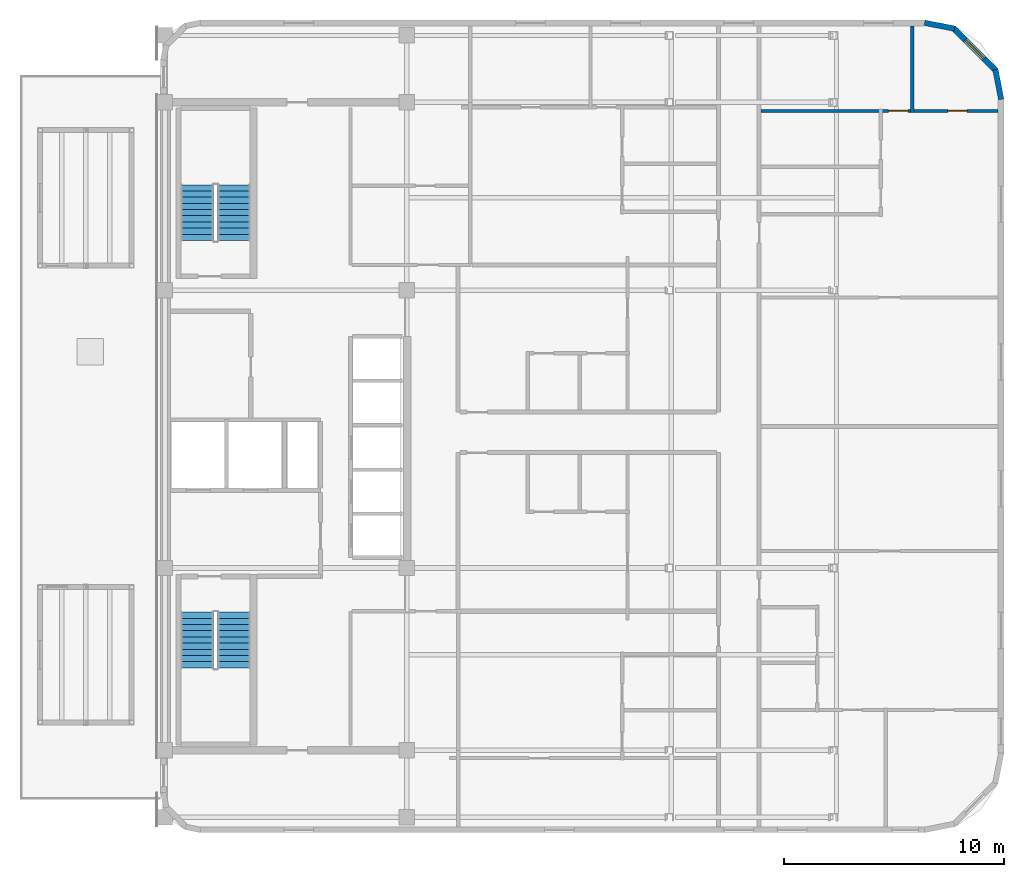
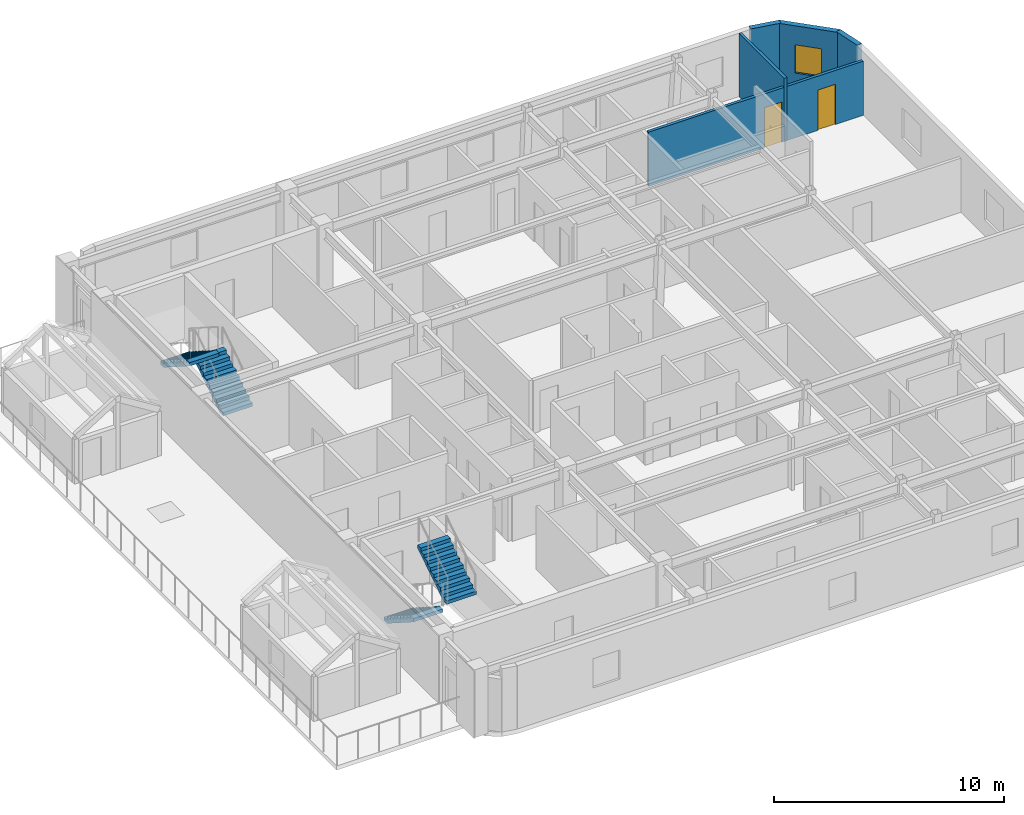
# One storey, part 12 of 13: 5 walls, 4 stair flights, 2 doors, 1 window, 3 openings, 2 elements without a shape of their own.
"""IFC4 building model written with IfcOpenShell, lengths in metres."""

from ifc_helpers import new_model, si_unit, direction, frame, frame_2d, origin, place, context, subcontext, project, spatial, polyline, rectangle, outline, extrude, material, layer, layer_set, type_object, element, fill, aggregate, save


model = new_model("IFC4")

# Units and contexts
model_context = context("Model", 3, precision=1e-05, world=origin(), true_north=direction((0.0, 1.0)))
body_context = subcontext(model_context, "Body", "Model", "MODEL_VIEW")
ifc_project = project(units=[si_unit("LENGTHUNIT", "METRE"), si_unit("AREAUNIT", "SQUARE_METRE"), si_unit("VOLUMEUNIT", "CUBIC_METRE"), si_unit("PLANEANGLEUNIT", "RADIAN"), si_unit("MASSUNIT", "GRAM", prefix="KILO")], contexts=[model_context])

# Site, building, storey
site_placement = place(None, origin())
site = spatial("IfcSite", under=ifc_project, at=site_placement, CompositionType="ELEMENT")
building_placement = place(site_placement, origin())
building = spatial("IfcBuilding", under=site, at=building_placement, Name="Ochreholt Gables", CompositionType="ELEMENT")
storey_placement = place(building_placement, frame((0.0, 0.0, 205.800048828125)))
storey = spatial("IfcBuildingStorey", under=building, at=storey_placement, Name="L53", CompositionType="ELEMENT", Elevation=205.800048828125)

# Wall
ifc_material_1 = material(Name="Precast concrete 40 MPa", Category="concrete")
ifc_layer_1 = layer(ifc_material_1, 0.25, Name="Precast concrete 40 MPa")
ifc_layer_set_1 = layer_set([ifc_layer_1], Name="Precast concrete 40 MPa")
wall_type_1 = type_object("IfcWallType", Name="WALL-EXT-CNR", PredefinedType="SOLIDWALL", material=ifc_layer_set_1)
wall_1_placement = place(storey_placement, frame((62.27587890625, 38.883544921875, 0.0), z_axis=(0.0, 0.0, 1.0), x_axis=(-0.195135625965, 0.9807762678, 0.0)))
element("IfcWall", 1, at=wall_1_placement, inside=storey, type_object=wall_type_1, Name="L53 Rounded Corner Wall NE-1", PredefinedType="SOLIDWALL", context=body_context, shape_type="SweptSolid", body=[
    extrude(rectangle(XDim=1.388671875, YDim=0.25, at=frame_2d((0.6943359375, 0.0))), origin(), (0.0, 0.0, 1.0), 3.35986328125),
])

# Wall, opening, window
wall_2_placement = place(storey_placement, frame((62.031982421875, 40.195068359375, 0.0), z_axis=(0.0, 0.0, 1.0), x_axis=(-0.707106781187, 0.707106781187, 0.0)))
wall_2 = element("IfcWall", 2, at=wall_2_placement, inside=storey, type_object=wall_type_1, Name="L53 Rounded Corner Wall NE-2", PredefinedType="SOLIDWALL", context=body_context, shape_type="SweptSolid", body=[
    extrude(rectangle(XDim=2.7392578125, YDim=0.25, at=frame_2d((1.36962890625, 0.0))), origin(), (0.0, 0.0, 1.0), 3.35986328125),
])
opening_1_placement = place(wall_2_placement, frame((0.769775390625, 0.0, 0.85009765625)))
opening_1 = element("IfcOpeningElement", 3, at=opening_1_placement, cuts=wall_2, Name="Opening WN-3", PredefinedType="OPENING", context=body_context, shape_type="SweptSolid", body=[
    extrude(rectangle(XDim=1.199951171875, YDim=1.5, at=frame_2d((0.60009765625, 0.75))), frame((0.0, 0.135009765625, 0.0), z_axis=(0.0, -1.0, 0.0), x_axis=(1.0, 0.0, 0.0)), (0.0, 0.0, 1.0), 0.27001953125),
])
ifc_material_2 = material(Name="Triple-Glazed Thermally Broken Aluminium Window", Category="aluminium")
window_type = type_object("IfcWindowType", Name="WIN-RES-1200", PartitioningType="SINGLE_PANEL", PredefinedType="WINDOW", material=ifc_material_2)
window_placement = place(opening_1_placement, origin())
window = element("IfcWindow", 4, at=window_placement, inside=storey, type_object=window_type, Name="L53 Corner Bedroom Window NE", OverallHeight=1.5, OverallWidth=1.199951171875, PartitioningType="SINGLE_PANEL", PredefinedType="WINDOW", context=body_context, shape_type="SweptSolid", body=[
    extrude(rectangle(XDim=1.199951171875, YDim=1.5, at=frame_2d((0.60009765625, 0.75))), frame((0.0, 0.030029296875, 0.0), z_axis=(0.0, -1.0, 0.0), x_axis=(1.0, 0.0, 0.0)), (0.0, 0.0, 1.0), 0.06005859375),
])
fill(opening_1, window)

# Wall
wall_3_placement = place(storey_placement, frame((60.1455078125, 42.10498046875, 0.0), z_axis=(0.0, 0.0, 1.0), x_axis=(-0.980809899341, 0.19496651342, 0.0)))
element("IfcWall", 5, at=wall_3_placement, inside=storey, type_object=wall_type_1, Name="L53 Rounded Corner Wall NE-3", PredefinedType="SOLIDWALL", context=body_context, shape_type="SweptSolid", body=[
    extrude(rectangle(XDim=1.388671875, YDim=0.25, at=frame_2d((0.6943359375, 0.0))), origin(), (0.0, 0.0, 1.0), 3.35986328125),
])

# Wall, openings, doors
ifc_material_3 = material(Name="Lightweight Stud Partition", Category="gypsum")
ifc_layer_2 = layer(ifc_material_3, 0.14501953125, Name="Lightweight Stud Partition")
ifc_layer_set_2 = layer_set([ifc_layer_2], Name="Lightweight Stud Partition")
wall_type_2 = type_object("IfcWallType", Name="WALL-INT-PT145", PredefinedType="PARTITIONING", material=ifc_layer_set_2)
wall_4_placement = place(storey_placement, frame((51.340087890625, 38.360107421875, 0.0), z_axis=(0.0, 0.0, 1.0), x_axis=(1.0, 0.0, 0.0)))
wall_4 = element("IfcWall", 6, at=wall_4_placement, inside=storey, type_object=wall_type_2, Name="L53 Interior Wall WU-L53E2-MN", PredefinedType="PARTITIONING", context=body_context, shape_type="SweptSolid", body=[
    extrude(rectangle(XDim=10.789794921875, YDim=0.14501953125, at=frame_2d((5.39501953125, 0.0))), origin(), (0.0, 0.0, 1.0), 2.87890625),
])
opening_2_placement = place(wall_4_placement, frame((5.81005859375, 0.0, 0.0)))
opening_2 = element("IfcOpeningElement", 7, at=opening_2_placement, cuts=wall_4, Name="Opening D-BD2", PredefinedType="OPENING", context=body_context, shape_type="SweptSolid", body=[
    extrude(rectangle(XDim=0.8798828125, YDim=2.139892578125, at=frame_2d((0.43994140625, 1.06982421875))), frame((0.0, 0.08251953125, 0.0), z_axis=(0.0, -1.0, 0.0), x_axis=(1.0, 0.0, 0.0)), (0.0, 0.0, 1.0), 0.1650390625),
])
opening_3_placement = place(wall_4_placement, frame((8.5, 0.0, 0.0)))
opening_3 = element("IfcOpeningElement", 8, at=opening_3_placement, cuts=wall_4, Name="Opening D-BD2", PredefinedType="OPENING", context=body_context, shape_type="SweptSolid", body=[
    extrude(rectangle(XDim=0.8798828125, YDim=2.139892578125, at=frame_2d((0.43994140625, 1.06982421875))), frame((0.0, 0.08251953125, 0.0), z_axis=(0.0, -1.0, 0.0), x_axis=(1.0, 0.0, 0.0)), (0.0, 0.0, 1.0), 0.1650390625),
])
ifc_material_4 = material(Name="Engineered Oak Timber", Category="wood")
door_type = type_object("IfcDoorType", Name="DR-INT-BED880", OperationType="NOTDEFINED", PredefinedType="DOOR", material=ifc_material_4)
door_1_placement = place(opening_2_placement, origin())
door_1 = element("IfcDoor", 9, at=door_1_placement, inside=storey, type_object=door_type, Name="L53 Door D-U-L53E2-BD1", OperationType="SINGLE_SWING_LEFT", OverallHeight=2.139892578125, OverallWidth=0.8798828125, PredefinedType="DOOR", context=body_context, shape_type="SweptSolid", body=[
    extrude(rectangle(XDim=0.8798828125, YDim=2.139892578125, at=frame_2d((0.43994140625, 1.06982421875))), frame((0.0, 0.02490234375, 0.0), z_axis=(0.0, -1.0, 0.0), x_axis=(1.0, 0.0, 0.0)), (0.0, 0.0, 1.0), 0.050048828125),
])
fill(opening_2, door_1)
door_2_placement = place(opening_3_placement, origin())
door_2 = element("IfcDoor", 10, at=door_2_placement, inside=storey, type_object=door_type, Name="L53 Door D-U-L53E2-BD2", OperationType="SINGLE_SWING_RIGHT", OverallHeight=2.139892578125, OverallWidth=0.8798828125, PredefinedType="DOOR", context=body_context, shape_type="SweptSolid", body=[
    extrude(rectangle(XDim=0.8798828125, YDim=2.139892578125, at=frame_2d((0.43994140625, 1.06982421875))), frame((0.0, 0.02490234375, 0.0), z_axis=(0.0, -1.0, 0.0), x_axis=(1.0, 0.0, 0.0)), (0.0, 0.0, 1.0), 0.050048828125),
])
fill(opening_3, door_2)

# Wall
wall_5_placement = place(storey_placement, frame((58.219970703125, 38.280029296875, 0.0), z_axis=(0.0, 0.0, 1.0), x_axis=(0.0, 1.0, 0.0)))
element("IfcWall", 11, at=wall_5_placement, inside=storey, type_object=wall_type_2, Name="L53 Interior Wall WU-L53E2-BSD", PredefinedType="PARTITIONING", context=body_context, shape_type="SweptSolid", body=[
    extrude(rectangle(XDim=3.949951171875, YDim=0.14501953125, at=frame_2d((1.97509765625, 0.0))), origin(), (0.0, 0.0, 1.0), 3.35986328125),
])

# Stair, stair flights
ifc_material_5 = material(Name="Concrete 40 MPa", Category="concrete")
stair_type_1 = type_object("IfcStairType", Name="STAIR-CORE-ST-1", PredefinedType="HALF_TURN_STAIR", material=ifc_material_5)
stair_1_placement = place(storey_placement, origin())
stair_1 = element("IfcStair", 12, at=stair_1_placement, inside=storey, type_object=stair_type_1, Name="L53 Core Exit Stair 1", PredefinedType="HALF_TURN_STAIR")
stair_flight_type = type_object("IfcStairFlightType", Name="FLIGHT-ST-1480-1800", PredefinedType="STRAIGHT", material=ifc_material_5)
stair_flight_1_placement = place(storey_placement, frame((25.659912109375, 15.5400390625, 0.0), z_axis=(0.0, 0.0, 1.0), x_axis=(0.0, -1.0, 0.0)))
stair_flight_1 = element("IfcStairFlight", 13, at=stair_flight_1_placement, type_object=stair_flight_type, Name="ST-1 flight 1", NumberOfRisers=10, NumberOfTreads=9, PredefinedType="STRAIGHT", RiserHeight=0.18, TreadLength=0.282, context=body_context, shape_type="SweptSolid", body=[
    extrude(outline(polyline([(0.0, 0.0), (0.0, 0.179931640625), (0.281982421875, 0.179931640625), (0.281982421875, 0.360107421875), (0.56396484375, 0.360107421875), (0.56396484375, 0.5400390625), (0.845947265625, 0.5400390625), (0.845947265625, 0.719970703125), (1.1279296875, 0.719970703125), (1.1279296875, 0.89990234375), (1.409912109375, 0.89990234375), (1.409912109375, 1.080078125), (1.69189453125, 1.080078125), (1.69189453125, 1.260009765625), (1.97412109375, 1.260009765625), (1.97412109375, 1.43994140625), (2.256103515625, 1.43994140625), (2.256103515625, 1.6201171875), (2.5380859375, 1.6201171875), (2.5380859375, 1.800048828125), (2.5380859375, 1.442138671875), (0.278564453125, 0.0), (0.0, 0.0)])), frame((0.0, 0.739990234375, 0.0), z_axis=(0.0, -1.0, 0.0), x_axis=(1.0, 0.0, 0.0)), (0.0, 0.0, 1.0), 1.47998046875),
])
stair_flight_2_placement = place(storey_placement, frame((27.340087890625, 13.001953125, 1.800048828125), z_axis=(0.0, 0.0, 1.0), x_axis=(0.0, 1.0, 0.0)))
stair_flight_2 = element("IfcStairFlight", 14, at=stair_flight_2_placement, type_object=stair_flight_type, Name="ST-1 flight 2", NumberOfRisers=10, NumberOfTreads=9, PredefinedType="STRAIGHT", RiserHeight=0.18, TreadLength=0.282, context=body_context, shape_type="SweptSolid", body=[
    extrude(outline(polyline([(0.0, 0.0), (0.0, 0.179931640625), (0.281982421875, 0.179931640625), (0.281982421875, 0.360107421875), (0.56396484375, 0.360107421875), (0.56396484375, 0.5400390625), (0.845947265625, 0.5400390625), (0.845947265625, 0.719970703125), (1.1279296875, 0.719970703125), (1.1279296875, 0.89990234375), (1.409912109375, 0.89990234375), (1.409912109375, 1.080078125), (1.69189453125, 1.080078125), (1.69189453125, 1.260009765625), (1.97412109375, 1.260009765625), (1.97412109375, 1.43994140625), (2.256103515625, 1.43994140625), (2.256103515625, 1.6201171875), (2.5380859375, 1.6201171875), (2.5380859375, 1.800048828125), (2.5380859375, 1.442138671875), (0.278564453125, 0.0), (0.0, 0.0)])), frame((0.0, 0.739990234375, 0.0), z_axis=(0.0, -1.0, 0.0), x_axis=(1.0, 0.0, 0.0)), (0.0, 0.0, 1.0), 1.47998046875),
])
aggregate(stair_1, [stair_flight_1, stair_flight_2])

stair_type_2 = type_object("IfcStairType", Name="STAIR-CORE-ST-2", PredefinedType="HALF_TURN_STAIR", material=ifc_material_5)
stair_2_placement = place(storey_placement, origin())
stair_2 = element("IfcStair", 15, at=stair_2_placement, inside=storey, type_object=stair_type_2, Name="L53 Core Exit Stair 2", PredefinedType="HALF_TURN_STAIR")
stair_flight_3_placement = place(storey_placement, frame((27.340087890625, 32.4599609375, 0.0), z_axis=(0.0, 0.0, 1.0), x_axis=(0.0, 1.0, 0.0)))
stair_flight_3 = element("IfcStairFlight", 16, at=stair_flight_3_placement, type_object=stair_flight_type, Name="ST-2 flight 1", NumberOfRisers=10, NumberOfTreads=9, PredefinedType="STRAIGHT", RiserHeight=0.18, TreadLength=0.282, context=body_context, shape_type="SweptSolid", body=[
    extrude(outline(polyline([(0.0, 0.0), (0.0, 0.179931640625), (0.281982421875, 0.179931640625), (0.281982421875, 0.360107421875), (0.56396484375, 0.360107421875), (0.56396484375, 0.5400390625), (0.845947265625, 0.5400390625), (0.845947265625, 0.719970703125), (1.1279296875, 0.719970703125), (1.1279296875, 0.89990234375), (1.409912109375, 0.89990234375), (1.409912109375, 1.080078125), (1.69189453125, 1.080078125), (1.69189453125, 1.260009765625), (1.97412109375, 1.260009765625), (1.97412109375, 1.43994140625), (2.256103515625, 1.43994140625), (2.256103515625, 1.6201171875), (2.5380859375, 1.6201171875), (2.5380859375, 1.800048828125), (2.5380859375, 1.442138671875), (0.278564453125, 0.0), (0.0, 0.0)])), frame((0.0, 0.739990234375, 0.0), z_axis=(0.0, -1.0, 0.0), x_axis=(1.0, 0.0, 0.0)), (0.0, 0.0, 1.0), 1.47998046875),
])
stair_flight_4_placement = place(storey_placement, frame((25.659912109375, 34.998046875, 1.800048828125), z_axis=(0.0, 0.0, 1.0), x_axis=(0.0, -1.0, 0.0)))
stair_flight_4 = element("IfcStairFlight", 17, at=stair_flight_4_placement, type_object=stair_flight_type, Name="ST-2 flight 2", NumberOfRisers=10, NumberOfTreads=9, PredefinedType="STRAIGHT", RiserHeight=0.18, TreadLength=0.282, context=body_context, shape_type="SweptSolid", body=[
    extrude(outline(polyline([(0.0, 0.0), (0.0, 0.179931640625), (0.281982421875, 0.179931640625), (0.281982421875, 0.360107421875), (0.56396484375, 0.360107421875), (0.56396484375, 0.5400390625), (0.845947265625, 0.5400390625), (0.845947265625, 0.719970703125), (1.1279296875, 0.719970703125), (1.1279296875, 0.89990234375), (1.409912109375, 0.89990234375), (1.409912109375, 1.080078125), (1.69189453125, 1.080078125), (1.69189453125, 1.260009765625), (1.97412109375, 1.260009765625), (1.97412109375, 1.43994140625), (2.256103515625, 1.43994140625), (2.256103515625, 1.6201171875), (2.5380859375, 1.6201171875), (2.5380859375, 1.800048828125), (2.5380859375, 1.442138671875), (0.278564453125, 0.0), (0.0, 0.0)])), frame((0.0, 0.739990234375, 0.0), z_axis=(0.0, -1.0, 0.0), x_axis=(1.0, 0.0, 0.0)), (0.0, 0.0, 1.0), 1.47998046875),
])
aggregate(stair_2, [stair_flight_3, stair_flight_4])

save(model, "model.ifc")
